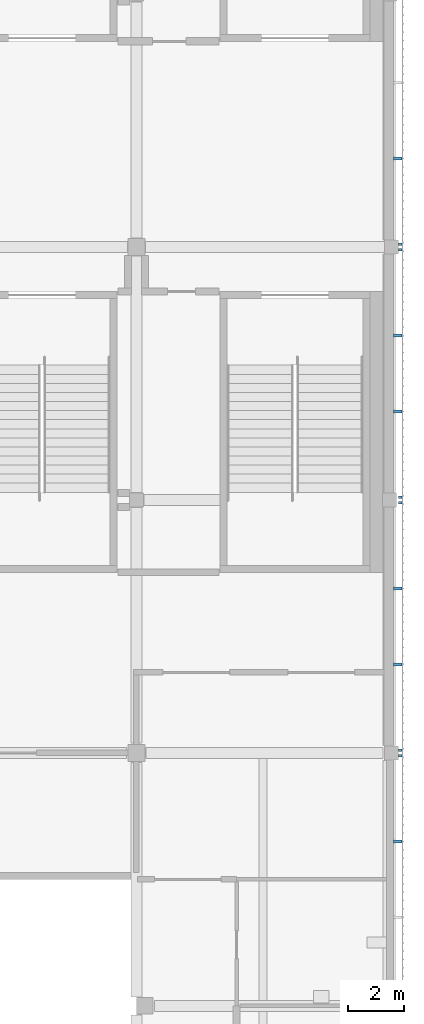
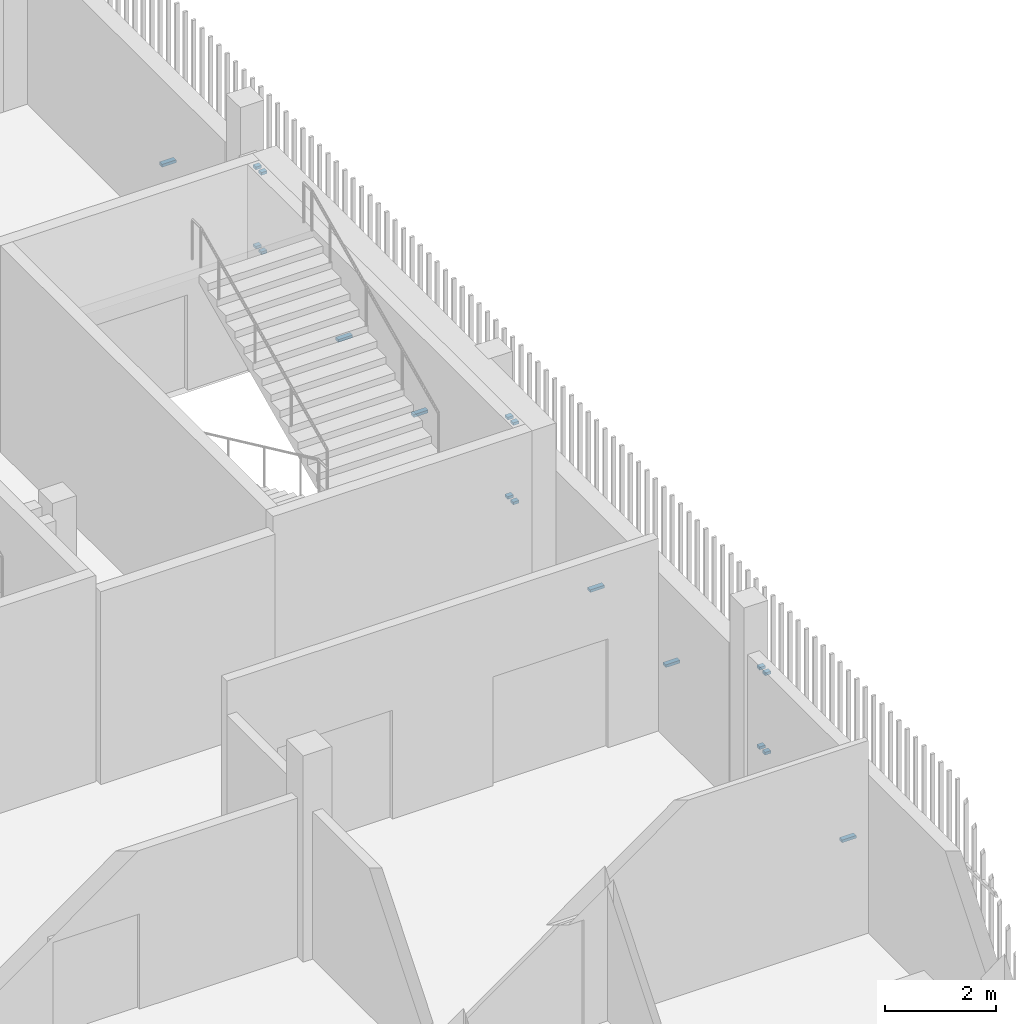
# One storey, part 101 of 124: 18 discrete accessories.
"""IFC4 building model written with IfcOpenShell, lengths in metres."""

from ifc_helpers import new_model, si_unit, direction, frame, origin, origin_2d, place, context, subcontext, project, spatial, rectangle, extrude, material, type_object, element, save


model = new_model("IFC4")

# Units and contexts
model_context = context("Model", 3, precision=1e-05, world=origin(), true_north=direction((0.0, 1.0)))
body_context = subcontext(model_context, "Body", "Model", "MODEL_VIEW")
ifc_project = project(units=[si_unit("LENGTHUNIT", "METRE"), si_unit("AREAUNIT", "SQUARE_METRE"), si_unit("VOLUMEUNIT", "CUBIC_METRE"), si_unit("PLANEANGLEUNIT", "RADIAN"), si_unit("MASSUNIT", "GRAM", prefix="KILO")], contexts=[model_context])

# Site, building, storey
site_placement = place(None, origin())
site = spatial("IfcSite", under=ifc_project, at=site_placement, CompositionType="ELEMENT")
building_placement = place(site_placement, origin())
building = spatial("IfcBuilding", under=site, at=building_placement, Name="Shirokan Park Arena", CompositionType="ELEMENT")
storey_placement = place(building_placement, frame((0.0, 0.0, 20.02001953125)))
storey = spatial("IfcBuildingStorey", under=building, at=storey_placement, Name="L04", CompositionType="ELEMENT", Elevation=20.02001953125)

# Discrete accessories
ifc_material = material(Name="Steel S355", Category="steel")
discrete_accessory_type = type_object("IfcDiscreteAccessoryType", Name="Veil bracket 100x60", PredefinedType="BRACKET", material=ifc_material)
for number, where, z_axis, x_axis, name in (
    (1, (145.985107421875, 72.699951171875, 1.070068359375), (0.0, 0.0, 1.0), (0.0, 1.0, 0.0), "Veil bracket east bay 8 L04 2"),
    (2, (145.985107421875, 72.699951171875, 2.820068359375), (0.0, 0.0, 1.0), (0.0, 1.0, 0.0), "Veil bracket east bay 8 L04 4"),
):
    element("IfcDiscreteAccessory", number, at=place(storey_placement, frame(where, z_axis=z_axis, x_axis=x_axis)), inside=storey, type_object=discrete_accessory_type, Name=name, PredefinedType="BRACKET", context=body_context, shape_type="SweptSolid", body=[
        extrude(rectangle(XDim=0.10009765625, YDim=0.1201171875, at=origin_2d()), origin(), (0.0, 0.0, 1.0), 0.06005859375),
    ])
discrete_accessory_1_placement = place(storey_placement, frame((145.8974609375, 69.614990234375, 1.070068359375), z_axis=(0.0, 0.0, 1.0), x_axis=(0.0, 1.0, 0.0)))
element("IfcDiscreteAccessory", 3, at=discrete_accessory_1_placement, inside=storey, type_object=discrete_accessory_type, Name="Veil bracket east bay 8 L04 wall 2", PredefinedType="BRACKET", context=body_context, shape_type="SweptSolid", body=[
    extrude(rectangle(XDim=0.10009765625, YDim=0.294921875, at=origin_2d()), origin(), (0.0, 0.0, 1.0), 0.06005859375),
])
for number, where, z_axis, x_axis, name in (
    (4, (145.985107421875, 72.89990234375, 1.070068359375), (0.0, 0.0, 1.0), (0.0, 1.0, 0.0), "Veil bracket east bay 9 L04 1"),
    (5, (145.985107421875, 81.800048828125, 1.070068359375), (0.0, 0.0, 1.0), (0.0, 1.0, 0.0), "Veil bracket east bay 9 L04 2"),
    (6, (145.985107421875, 72.89990234375, 2.820068359375), (0.0, 0.0, 1.0), (0.0, 1.0, 0.0), "Veil bracket east bay 9 L04 3"),
    (7, (145.985107421875, 81.800048828125, 2.820068359375), (0.0, 0.0, 1.0), (0.0, 1.0, 0.0), "Veil bracket east bay 9 L04 4"),
):
    element("IfcDiscreteAccessory", number, at=place(storey_placement, frame(where, z_axis=z_axis, x_axis=x_axis)), inside=storey, type_object=discrete_accessory_type, Name=name, PredefinedType="BRACKET", context=body_context, shape_type="SweptSolid", body=[
        extrude(rectangle(XDim=0.10009765625, YDim=0.1201171875, at=origin_2d()), origin(), (0.0, 0.0, 1.0), 0.06005859375),
    ])
for number, where, z_axis, x_axis, name in (
    (8, (145.8974609375, 75.985107421875, 1.070068359375), (0.0, 0.0, 1.0), (0.0, 1.0, 0.0), "Veil bracket east bay 9 L04 wall 1"),
    (9, (145.8974609375, 78.715087890625, 1.070068359375), (0.0, 0.0, 1.0), (0.0, 1.0, 0.0), "Veil bracket east bay 9 L04 wall 2"),
):
    element("IfcDiscreteAccessory", number, at=place(storey_placement, frame(where, z_axis=z_axis, x_axis=x_axis)), inside=storey, type_object=discrete_accessory_type, Name=name, PredefinedType="BRACKET", context=body_context, shape_type="SweptSolid", body=[
        extrude(rectangle(XDim=0.10009765625, YDim=0.294921875, at=origin_2d()), origin(), (0.0, 0.0, 1.0), 0.06005859375),
    ])
for number, where, z_axis, x_axis, name in (
    (10, (145.985107421875, 82.0, 1.070068359375), (0.0, 0.0, 1.0), (0.0, 1.0, 0.0), "Veil bracket east bay 10 L04 1"),
    (11, (145.985107421875, 90.89990234375, 1.070068359375), (0.0, 0.0, 1.0), (0.0, 1.0, 0.0), "Veil bracket east bay 10 L04 2"),
    (12, (145.985107421875, 82.0, 2.820068359375), (0.0, 0.0, 1.0), (0.0, 1.0, 0.0), "Veil bracket east bay 10 L04 3"),
    (13, (145.985107421875, 90.89990234375, 2.820068359375), (0.0, 0.0, 1.0), (0.0, 1.0, 0.0), "Veil bracket east bay 10 L04 4"),
):
    element("IfcDiscreteAccessory", number, at=place(storey_placement, frame(where, z_axis=z_axis, x_axis=x_axis)), inside=storey, type_object=discrete_accessory_type, Name=name, PredefinedType="BRACKET", context=body_context, shape_type="SweptSolid", body=[
        extrude(rectangle(XDim=0.10009765625, YDim=0.1201171875, at=origin_2d()), origin(), (0.0, 0.0, 1.0), 0.06005859375),
    ])
for number, where, z_axis, x_axis, name in (
    (14, (145.8974609375, 85.0849609375, 1.070068359375), (0.0, 0.0, 1.0), (0.0, 1.0, 0.0), "Veil bracket east bay 10 L04 wall 1"),
    (15, (145.8974609375, 87.81494140625, 1.070068359375), (0.0, 0.0, 1.0), (0.0, 1.0, 0.0), "Veil bracket east bay 10 L04 wall 2"),
):
    element("IfcDiscreteAccessory", number, at=place(storey_placement, frame(where, z_axis=z_axis, x_axis=x_axis)), inside=storey, type_object=discrete_accessory_type, Name=name, PredefinedType="BRACKET", context=body_context, shape_type="SweptSolid", body=[
        extrude(rectangle(XDim=0.10009765625, YDim=0.294921875, at=origin_2d()), origin(), (0.0, 0.0, 1.0), 0.06005859375),
    ])
for number, where, z_axis, x_axis, name in (
    (16, (145.985107421875, 91.10009765625, 1.070068359375), (0.0, 0.0, 1.0), (0.0, 1.0, 0.0), "Veil bracket east bay 11 L04 1"),
    (17, (145.985107421875, 91.10009765625, 2.820068359375), (0.0, 0.0, 1.0), (0.0, 1.0, 0.0), "Veil bracket east bay 11 L04 3"),
):
    element("IfcDiscreteAccessory", number, at=place(storey_placement, frame(where, z_axis=z_axis, x_axis=x_axis)), inside=storey, type_object=discrete_accessory_type, Name=name, PredefinedType="BRACKET", context=body_context, shape_type="SweptSolid", body=[
        extrude(rectangle(XDim=0.10009765625, YDim=0.1201171875, at=origin_2d()), origin(), (0.0, 0.0, 1.0), 0.06005859375),
    ])
discrete_accessory_2_placement = place(storey_placement, frame((145.8974609375, 94.18505859375, 1.070068359375), z_axis=(0.0, 0.0, 1.0), x_axis=(0.0, 1.0, 0.0)))
element("IfcDiscreteAccessory", 18, at=discrete_accessory_2_placement, inside=storey, type_object=discrete_accessory_type, Name="Veil bracket east bay 11 L04 wall 1", PredefinedType="BRACKET", context=body_context, shape_type="SweptSolid", body=[
    extrude(rectangle(XDim=0.10009765625, YDim=0.294921875, at=origin_2d()), origin(), (0.0, 0.0, 1.0), 0.06005859375),
])

save(model, "model.ifc")
